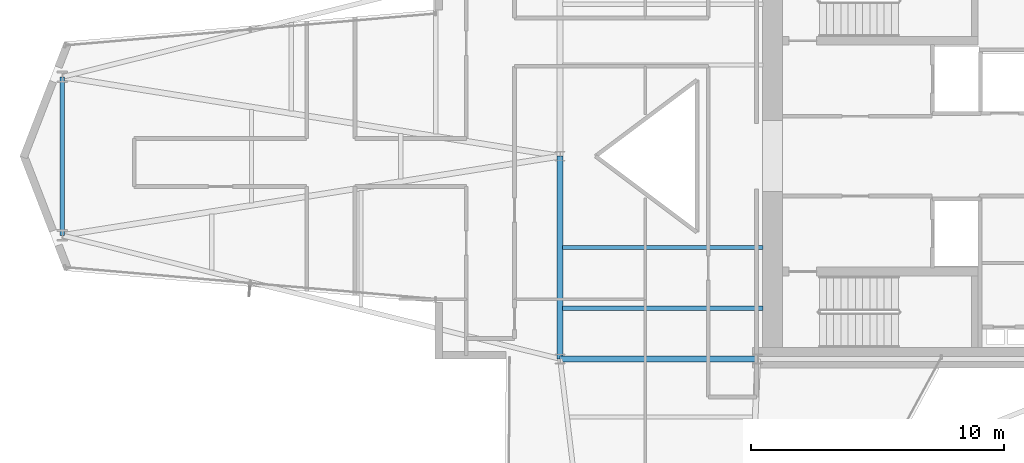
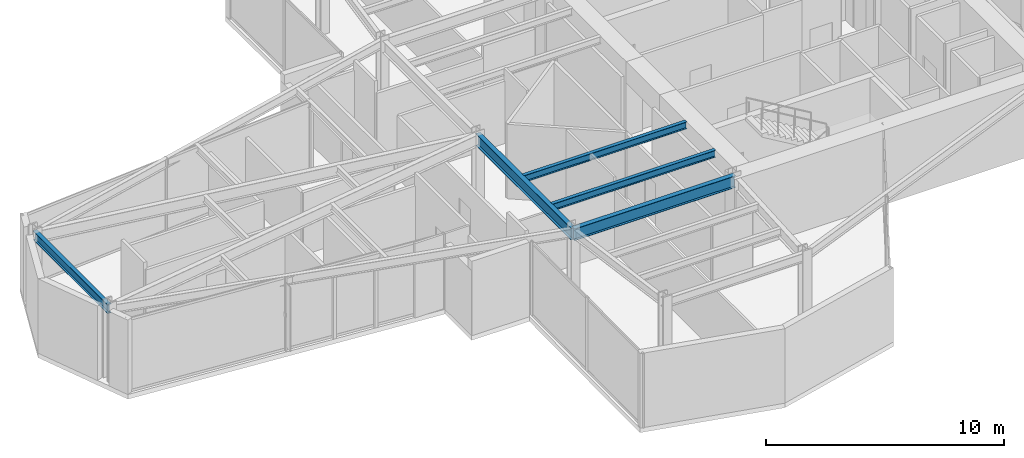
# One storey, part 6 of 26: 5 beams.
"""IFC4 building model written with IfcOpenShell, lengths in metres."""

from ifc_helpers import new_model, si_unit, direction, frame, origin, origin_2d, place, context, subcontext, project, spatial, i_section, extrude, material, material_profile, profile_set, type_object, element, save


model = new_model("IFC4")

# Units and contexts
model_context = context("Model", 3, precision=1e-05, world=origin(), true_north=direction((0.0, 1.0)))
body_context = subcontext(model_context, "Body", "Model", "MODEL_VIEW")
ifc_project = project(units=[si_unit("LENGTHUNIT", "METRE"), si_unit("AREAUNIT", "SQUARE_METRE"), si_unit("VOLUMEUNIT", "CUBIC_METRE"), si_unit("PLANEANGLEUNIT", "RADIAN"), si_unit("MASSUNIT", "GRAM", prefix="KILO")], contexts=[model_context])

# Site, building, storey
site_placement = place(None, origin())
site = spatial("IfcSite", under=ifc_project, at=site_placement, CompositionType="ELEMENT")
building_placement = place(site_placement, origin())
building = spatial("IfcBuilding", under=site, at=building_placement, Name="Veymaron Broadcast Tower", CompositionType="ELEMENT")
storey_placement = place(building_placement, frame((0.0, 0.0, 153.300048828125)))
storey = spatial("IfcBuildingStorey", under=building, at=storey_placement, Name="L35", CompositionType="ELEMENT", Elevation=153.300048828125)

# Beams
ifc_material = material(Name="Structural steel ASTM A992 Gr 50", Category="steel")
ifc_material_profile_1 = material_profile(ifc_material, i_section(OverallWidth=0.22802734375, OverallDepth=0.60791015625, WebThickness=0.01123046875, FlangeThickness=0.017333984375, at=origin_2d()), Name="W610X113")
ifc_profile_set_1 = profile_set([ifc_material_profile_1], Name="Structural steel ASTM A992 Gr 50")
beam_type_1 = type_object("IfcBeamType", Name="BM-FG2", PredefinedType="BEAM", material=ifc_profile_set_1)
beam_1_placement = place(storey_placement, frame((31.199951171875, 16.0, 3.505859375), z_axis=(0.0, 1.0, 0.0), x_axis=(-1.0, 0.0, 0.0)))
element("IfcBeam", 1, at=beam_1_placement, inside=storey, type_object=beam_type_1, Name="L35 primary structural floor girder", PredefinedType="BEAM", context=body_context, shape_type="SweptSolid", body=[
    extrude(i_section(OverallWidth=0.22802734375, OverallDepth=0.60791015625, WebThickness=0.01123046875, FlangeThickness=0.017333984375, at=origin_2d()), origin(), (0.0, 0.0, 1.0), 8.0),
])
beam_2_placement = place(storey_placement, frame((31.199951171875, 16.0, 3.505859375), z_axis=(1.0, 0.0, 0.0), x_axis=(0.0, 1.0, 0.0)))
element("IfcBeam", 2, at=beam_2_placement, inside=storey, type_object=beam_type_1, Name="L35 primary structural floor girder", PredefinedType="BEAM", context=body_context, shape_type="SweptSolid", body=[
    extrude(i_section(OverallWidth=0.22802734375, OverallDepth=0.60791015625, WebThickness=0.01123046875, FlangeThickness=0.017333984375, at=origin_2d()), origin(), (0.0, 0.0, 1.0), 7.800048828125),
])
ifc_material_profile_2 = material_profile(ifc_material, i_section(OverallWidth=0.1708984375, OverallDepth=0.35498046875, WebThickness=0.007080078125, FlangeThickness=0.01171875, at=origin_2d()), Name="W360X51")
ifc_profile_set_2 = profile_set([ifc_material_profile_2], Name="Structural steel ASTM A992 Gr 50")
beam_type_2 = type_object("IfcBeamType", Name="BM-JS2", PredefinedType="JOIST", material=ifc_profile_set_2)
for number, where, z_axis, x_axis, name in (
    (3, (31.300048828125, 18.0, 3.632568359375), (1.0, 0.0, 0.0), (0.0, 1.0, 0.0), "L35 Hub secondary joist 1"),
    (4, (31.300048828125, 20.39990234375, 3.632568359375), (1.0, 0.0, 0.0), (0.0, 1.0, 0.0), "L35 Hub secondary joist 2"),
):
    element("IfcBeam", number, at=place(storey_placement, frame(where, z_axis=z_axis, x_axis=x_axis)), inside=storey, type_object=beam_type_2, Name=name, PredefinedType="JOIST", context=body_context, shape_type="SweptSolid", body=[
        extrude(i_section(OverallWidth=0.1708984375, OverallDepth=0.35498046875, WebThickness=0.007080078125, FlangeThickness=0.01171875, at=origin_2d()), origin(), (0.0, 0.0, 1.0), 7.89990234375),
    ])
ifc_material_profile_3 = material_profile(ifc_material, i_section(OverallWidth=0.19091796875, OverallDepth=0.4599609375, WebThickness=0.010009765625, FlangeThickness=0.01611328125, at=origin_2d()), Name="W460X82")
ifc_profile_set_3 = profile_set([ifc_material_profile_3], Name="Structural steel ASTM A992 Gr 50")
beam_type_3 = type_object("IfcBeamType", Name="BM-SP1", PredefinedType="SPANDREL", material=ifc_profile_set_3)
beam_3_placement = place(storey_placement, frame((11.5537109375, 20.8720703125, 3.579833984375), z_axis=(0.0, 1.0, 0.0), x_axis=(-1.0, 0.0, 0.0)))
element("IfcBeam", 5, at=beam_3_placement, inside=storey, type_object=beam_type_3, Name="L35 primary structural floor girder", PredefinedType="SPANDREL", context=body_context, shape_type="SweptSolid", body=[
    extrude(i_section(OverallWidth=0.19091796875, OverallDepth=0.4599609375, WebThickness=0.010009765625, FlangeThickness=0.01611328125, at=origin_2d()), origin(), (0.0, 0.0, 1.0), 6.255859375),
])

save(model, "model.ifc")
